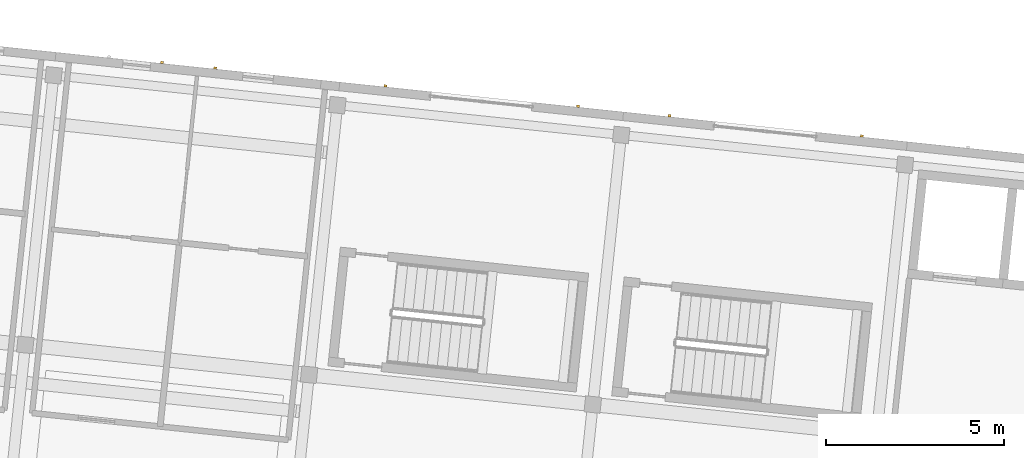
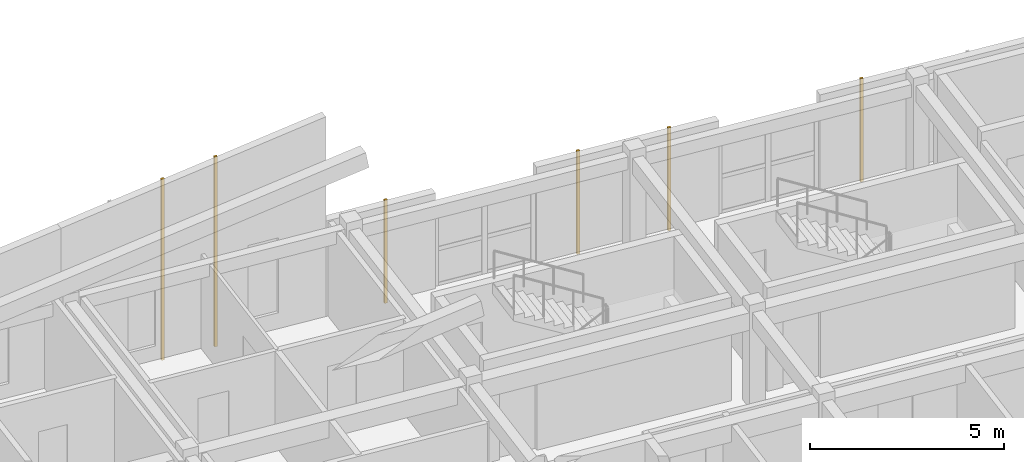
# One storey, part 34 of 34: 6 coverings.
"""IFC4 building model written with IfcOpenShell, lengths in metres."""

from ifc_helpers import new_model, si_unit, direction, frame, origin, origin_2d, place, context, subcontext, project, spatial, rectangle, extrude, material, layer, layer_set, type_object, element, save


model = new_model("IFC4")

# Units and contexts
model_context = context("Model", 3, precision=1e-05, world=origin(), true_north=direction((0.0, 1.0)))
body_context = subcontext(model_context, "Body", "Model", "MODEL_VIEW")
ifc_project = project(units=[si_unit("LENGTHUNIT", "METRE"), si_unit("AREAUNIT", "SQUARE_METRE"), si_unit("VOLUMEUNIT", "CUBIC_METRE"), si_unit("PLANEANGLEUNIT", "RADIAN"), si_unit("MASSUNIT", "GRAM", prefix="KILO")], contexts=[model_context])

# Site, building, storey
site_placement = place(None, origin())
site = spatial("IfcSite", under=ifc_project, at=site_placement, CompositionType="ELEMENT")
building_placement = place(site_placement, origin())
building = spatial("IfcBuilding", under=site, at=building_placement, Name="Kestramere Prow Commons", CompositionType="ELEMENT")
storey_placement = place(building_placement, frame((0.0, 0.0, 34.39990234375)))
storey = spatial("IfcBuildingStorey", under=building, at=storey_placement, Name="L10", CompositionType="ELEMENT", Elevation=34.39990234375)

# Coverings
ifc_material = material(Name="Weathered Zinc-Titanium Standing-Seam Cladding")
ifc_layer = layer(ifc_material, 0.074951171875)
ifc_layer_set = layer_set([ifc_layer], Name="Weathered Zinc-Titanium Standing-Seam Cladding")
covering_type = type_object("IfcCoveringType", Name="COV-CLAD-SEAM", PredefinedType="CLADDING", material=ifc_layer_set)
covering_1_placement = place(storey_placement, frame((131.005615234375, 112.9814453125, -0.25), z_axis=(0.0, 0.0, 1.0), x_axis=(0.994521895368, -0.104528463268, 0.0)))
element("IfcCovering", 1, at=covering_1_placement, inside=storey, type_object=covering_type, Name="EW-B-L10-N-2 Standing-Seam Rib 2", PredefinedType="CLADDING", context=body_context, shape_type="SweptSolid", body=[
    extrude(rectangle(XDim=0.0849609375, YDim=0.06494140625, at=origin_2d()), origin(), (0.0, 0.0, 1.0), 5.705322265625),
])
covering_2_placement = place(storey_placement, frame((132.492431640625, 112.8251953125, -0.25), z_axis=(0.0, 0.0, 1.0), x_axis=(0.994521895368, -0.104528463268, 0.0)))
element("IfcCovering", 2, at=covering_2_placement, inside=storey, type_object=covering_type, Name="EW-B-L10-N-2 Standing-Seam Rib 3", PredefinedType="CLADDING", context=body_context, shape_type="SweptSolid", body=[
    extrude(rectangle(XDim=0.0849609375, YDim=0.06494140625, at=origin_2d()), origin(), (0.0, 0.0, 1.0), 5.98291015625),
])
for number, where, z_axis, x_axis, name in (
    (3, (137.2685546875, 112.3232421875, -0.25), (0.0, 0.0, 1.0), (0.994521895368, -0.104528463268, 0.0), "EW-B-L10-NP-3-L Standing-Seam Rib 1"),
    (4, (142.663818359375, 111.756103515625, -0.25), (0.0, 0.0, 1.0), (0.994521895368, -0.104528463268, 0.0), "EW-B-L10-NP-3-R Standing-Seam Rib 1"),
    (5, (145.224609375, 111.48681640625, -0.25), (0.0, 0.0, 1.0), (0.994521895368, -0.104528463268, 0.0), "EW-B-L10-NP-4-L Standing-Seam Rib 1"),
    (6, (150.6201171875, 110.919921875, -0.25), (0.0, 0.0, 1.0), (0.994521895368, -0.104528463268, 0.0), "EW-B-L10-NP-4-R Standing-Seam Rib 1"),
):
    element("IfcCovering", number, at=place(storey_placement, frame(where, z_axis=z_axis, x_axis=x_axis)), inside=storey, type_object=covering_type, Name=name, PredefinedType="CLADDING", context=body_context, shape_type="SweptSolid", body=[
        extrude(rectangle(XDim=0.0849609375, YDim=0.06494140625, at=origin_2d()), origin(), (0.0, 0.0, 1.0), 3.25),
    ])

save(model, "model.ifc")
